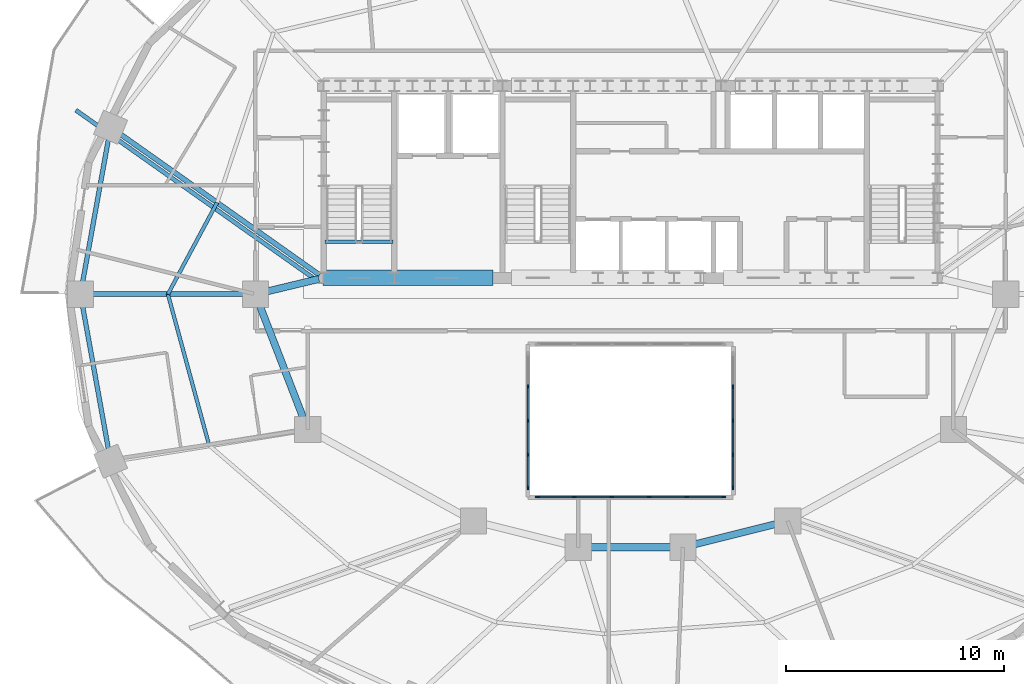
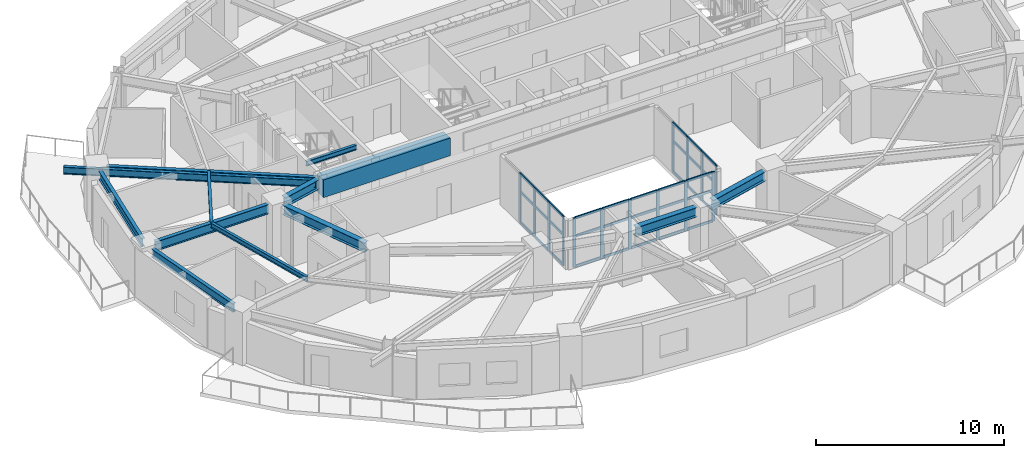
# One storey, part 2 of 12: 47 members, 13 beams, 3 elements without a shape of their own.
"""IFC4 building model written with IfcOpenShell, lengths in metres."""

from ifc_helpers import new_model, si_unit, direction, frame, origin, origin_2d, place, context, subcontext, project, spatial, rectangle, i_section, extrude, material, material_profile, profile_set, type_object, element, aggregate, save


model = new_model("IFC4")

# Units and contexts
model_context = context("Model", 3, precision=1e-05, world=origin(), true_north=direction((0.0, 1.0)))
body_context = subcontext(model_context, "Body", "Model", "MODEL_VIEW")
ifc_project = project(units=[si_unit("LENGTHUNIT", "METRE"), si_unit("AREAUNIT", "SQUARE_METRE"), si_unit("VOLUMEUNIT", "CUBIC_METRE"), si_unit("PLANEANGLEUNIT", "RADIAN"), si_unit("MASSUNIT", "GRAM", prefix="KILO")], contexts=[model_context])

# Site, building, storey
site_placement = place(None, origin())
site = spatial("IfcSite", under=ifc_project, at=site_placement, CompositionType="ELEMENT")
building_placement = place(site_placement, origin())
building = spatial("IfcBuilding", under=site, at=building_placement, Name="Haldorwick Loom Tower", CompositionType="ELEMENT")
storey_placement = place(building_placement, frame((0.0, 0.0, 157.89990234375)))
storey = spatial("IfcBuildingStorey", under=building, at=storey_placement, Name="L42", CompositionType="ELEMENT", Elevation=157.89990234375)

# Curtain wall, members
ifc_material_1 = material(Name="Thermally Broken Anodized Aluminium Curtain Wall Framing", Category="aluminium")
curtain_wall_type = type_object("IfcCurtainWallType", Name="ARC-CW-03", PredefinedType="NOTDEFINED", material=ifc_material_1)
curtain_wall_1_placement = place(storey_placement, origin())
curtain_wall_1 = element("IfcCurtainWall", 1, at=curtain_wall_1_placement, inside=storey, type_object=curtain_wall_type, Name="L42 Atrium Glazed Screen S", PredefinedType="NOTDEFINED")
ifc_material_profile_1 = material_profile(ifc_material_1, rectangle(XDim=0.06591796875, YDim=0.18505859375, at=origin_2d()), Name="ALU_MUL_66X185", Category="aluminium")
ifc_profile_set_1 = profile_set([ifc_material_profile_1], Name="Thermally Broken Anodized Aluminium Curtain Wall Framing")
member_type_1 = type_object("IfcMemberType", Name="ARC-CWM-03", PredefinedType="MULLION", material=ifc_profile_set_1)
member_1_placement = place(storey_placement, frame((40.26708984375, 16.699951171875, 0.0), z_axis=(0.0, 0.0, 1.0), x_axis=(0.0, -1.0, 0.0)))
member_1 = element("IfcMember", 2, at=member_1_placement, type_object=member_type_1, Name="CW-03 mullion 1", PredefinedType="MULLION", context=body_context, shape_type="SweptSolid", body=[
    extrude(rectangle(XDim=0.06591796875, YDim=0.18505859375, at=origin_2d()), origin(), (0.0, 0.0, 1.0), 3.210205078125),
])
member_2_placement = place(storey_placement, frame((38.580078125, 16.699951171875, 0.0), z_axis=(0.0, 0.0, 1.0), x_axis=(0.0, -1.0, 0.0)))
member_2 = element("IfcMember", 3, at=member_2_placement, type_object=member_type_1, Name="CW-03 mullion 2", PredefinedType="MULLION", context=body_context, shape_type="SweptSolid", body=[
    extrude(rectangle(XDim=0.06591796875, YDim=0.18505859375, at=origin_2d()), origin(), (0.0, 0.0, 1.0), 3.210205078125),
])
member_3_placement = place(storey_placement, frame((36.860107421875, 16.699951171875, 0.0), z_axis=(0.0, 0.0, 1.0), x_axis=(0.0, -1.0, 0.0)))
member_3 = element("IfcMember", 4, at=member_3_placement, type_object=member_type_1, Name="CW-03 mullion 3", PredefinedType="MULLION", context=body_context, shape_type="SweptSolid", body=[
    extrude(rectangle(XDim=0.06591796875, YDim=0.18505859375, at=origin_2d()), origin(), (0.0, 0.0, 1.0), 3.210205078125),
])
member_4_placement = place(storey_placement, frame((35.139892578125, 16.699951171875, 0.0), z_axis=(0.0, 0.0, 1.0), x_axis=(0.0, -1.0, 0.0)))
member_4 = element("IfcMember", 5, at=member_4_placement, type_object=member_type_1, Name="CW-03 mullion 4", PredefinedType="MULLION", context=body_context, shape_type="SweptSolid", body=[
    extrude(rectangle(XDim=0.06591796875, YDim=0.18505859375, at=origin_2d()), origin(), (0.0, 0.0, 1.0), 3.210205078125),
])
member_5_placement = place(storey_placement, frame((33.419921875, 16.699951171875, 0.0), z_axis=(0.0, 0.0, 1.0), x_axis=(0.0, -1.0, 0.0)))
member_5 = element("IfcMember", 6, at=member_5_placement, type_object=member_type_1, Name="CW-03 mullion 5", PredefinedType="MULLION", context=body_context, shape_type="SweptSolid", body=[
    extrude(rectangle(XDim=0.06591796875, YDim=0.18505859375, at=origin_2d()), origin(), (0.0, 0.0, 1.0), 3.210205078125),
])
member_6_placement = place(storey_placement, frame((31.73291015625, 16.699951171875, 0.0), z_axis=(0.0, 0.0, 1.0), x_axis=(0.0, -1.0, 0.0)))
member_6 = element("IfcMember", 7, at=member_6_placement, type_object=member_type_1, Name="CW-03 mullion 6", PredefinedType="MULLION", context=body_context, shape_type="SweptSolid", body=[
    extrude(rectangle(XDim=0.06591796875, YDim=0.18505859375, at=origin_2d()), origin(), (0.0, 0.0, 1.0), 3.210205078125),
])

curtain_wall_2_placement = place(storey_placement, origin())
curtain_wall_2 = element("IfcCurtainWall", 8, at=curtain_wall_2_placement, inside=storey, type_object=curtain_wall_type, Name="L42 Atrium Glazed Screen W", PredefinedType="NOTDEFINED")
member_7_placement = place(storey_placement, frame((31.300048828125, 17.133056640625, 0.0), z_axis=(0.0, 0.0, 1.0), x_axis=(-1.0, 0.0, 0.0)))
member_7 = element("IfcMember", 9, at=member_7_placement, type_object=member_type_1, Name="CW-03 mullion 1", PredefinedType="MULLION", context=body_context, shape_type="SweptSolid", body=[
    extrude(rectangle(XDim=0.06591796875, YDim=0.18505859375, at=origin_2d()), origin(), (0.0, 0.0, 1.0), 3.210205078125),
])
member_8_placement = place(storey_placement, frame((31.300048828125, 18.64990234375, 0.0), z_axis=(0.0, 0.0, 1.0), x_axis=(-1.0, 0.0, 0.0)))
member_8 = element("IfcMember", 10, at=member_8_placement, type_object=member_type_1, Name="CW-03 mullion 2", PredefinedType="MULLION", context=body_context, shape_type="SweptSolid", body=[
    extrude(rectangle(XDim=0.06591796875, YDim=0.18505859375, at=origin_2d()), origin(), (0.0, 0.0, 1.0), 3.210205078125),
])
member_9_placement = place(storey_placement, frame((31.300048828125, 20.199951171875, 0.0), z_axis=(0.0, 0.0, 1.0), x_axis=(-1.0, 0.0, 0.0)))
member_9 = element("IfcMember", 11, at=member_9_placement, type_object=member_type_1, Name="CW-03 mullion 3", PredefinedType="MULLION", context=body_context, shape_type="SweptSolid", body=[
    extrude(rectangle(XDim=0.06591796875, YDim=0.18505859375, at=origin_2d()), origin(), (0.0, 0.0, 1.0), 3.210205078125),
])
member_10_placement = place(storey_placement, frame((31.300048828125, 21.75, 0.0), z_axis=(0.0, 0.0, 1.0), x_axis=(-1.0, 0.0, 0.0)))
member_10 = element("IfcMember", 12, at=member_10_placement, type_object=member_type_1, Name="CW-03 mullion 4", PredefinedType="MULLION", context=body_context, shape_type="SweptSolid", body=[
    extrude(rectangle(XDim=0.06591796875, YDim=0.18505859375, at=origin_2d()), origin(), (0.0, 0.0, 1.0), 3.210205078125),
])

curtain_wall_3_placement = place(storey_placement, origin())
curtain_wall_3 = element("IfcCurtainWall", 13, at=curtain_wall_3_placement, inside=storey, type_object=curtain_wall_type, Name="L42 Atrium Glazed Screen E", PredefinedType="NOTDEFINED")
member_11_placement = place(storey_placement, frame((40.699951171875, 21.75, 0.0), z_axis=(0.0, 0.0, 1.0), x_axis=(1.0, 0.0, 0.0)))
member_11 = element("IfcMember", 14, at=member_11_placement, type_object=member_type_1, Name="CW-03 mullion 2", PredefinedType="MULLION", context=body_context, shape_type="SweptSolid", body=[
    extrude(rectangle(XDim=0.06591796875, YDim=0.18505859375, at=origin_2d()), origin(), (0.0, 0.0, 1.0), 3.210205078125),
])
member_12_placement = place(storey_placement, frame((40.699951171875, 20.199951171875, 0.0), z_axis=(0.0, 0.0, 1.0), x_axis=(1.0, 0.0, 0.0)))
member_12 = element("IfcMember", 15, at=member_12_placement, type_object=member_type_1, Name="CW-03 mullion 3", PredefinedType="MULLION", context=body_context, shape_type="SweptSolid", body=[
    extrude(rectangle(XDim=0.06591796875, YDim=0.18505859375, at=origin_2d()), origin(), (0.0, 0.0, 1.0), 3.210205078125),
])
member_13_placement = place(storey_placement, frame((40.699951171875, 18.64990234375, 0.0), z_axis=(0.0, 0.0, 1.0), x_axis=(1.0, 0.0, 0.0)))
member_13 = element("IfcMember", 16, at=member_13_placement, type_object=member_type_1, Name="CW-03 mullion 4", PredefinedType="MULLION", context=body_context, shape_type="SweptSolid", body=[
    extrude(rectangle(XDim=0.06591796875, YDim=0.18505859375, at=origin_2d()), origin(), (0.0, 0.0, 1.0), 3.210205078125),
])
member_14_placement = place(storey_placement, frame((40.699951171875, 17.133056640625, 0.0), z_axis=(0.0, 0.0, 1.0), x_axis=(1.0, 0.0, 0.0)))
member_14 = element("IfcMember", 17, at=member_14_placement, type_object=member_type_1, Name="CW-03 mullion 5", PredefinedType="MULLION", context=body_context, shape_type="SweptSolid", body=[
    extrude(rectangle(XDim=0.06591796875, YDim=0.18505859375, at=origin_2d()), origin(), (0.0, 0.0, 1.0), 3.210205078125),
])

# Member
ifc_material_profile_2 = material_profile(ifc_material_1, rectangle(XDim=0.06591796875, YDim=0.1650390625, at=origin_2d()), Name="ALU_TRN_66X165", Category="aluminium")
ifc_profile_set_2 = profile_set([ifc_material_profile_2], Name="Thermally Broken Anodized Aluminium Curtain Wall Framing")
member_type_2 = type_object("IfcMemberType", Name="ARC-CWT-03", PredefinedType="USERDEFINED", material=ifc_profile_set_2)
member_15_placement = place(storey_placement, frame((40.23388671875, 16.699951171875, 0.033203125), z_axis=(-1.0, 0.0, 0.0), x_axis=(0.0, -1.0, 0.0)))
member_15 = element("IfcMember", 18, at=member_15_placement, type_object=member_type_2, Name="CW-03 transom 1.1", ObjectType="TRANSOM", PredefinedType="USERDEFINED", context=body_context, shape_type="SweptSolid", body=[
    extrude(rectangle(XDim=0.06591796875, YDim=0.1650390625, at=origin_2d()), origin(), (0.0, 0.0, 1.0), 1.620849609375),
])

member_16_placement = place(storey_placement, frame((40.23388671875, 16.699951171875, 2.0), z_axis=(-1.0, 0.0, 0.0), x_axis=(0.0, -1.0, 0.0)))
member_16 = element("IfcMember", 19, at=member_16_placement, type_object=member_type_2, Name="CW-03 transom 1.2", ObjectType="TRANSOM", PredefinedType="USERDEFINED", context=body_context, shape_type="SweptSolid", body=[
    extrude(rectangle(XDim=0.06591796875, YDim=0.1650390625, at=origin_2d()), origin(), (0.0, 0.0, 1.0), 1.620849609375),
])

member_17_placement = place(storey_placement, frame((40.23388671875, 16.699951171875, 3.177001953125), z_axis=(-1.0, 0.0, 0.0), x_axis=(0.0, -1.0, 0.0)))
member_17 = element("IfcMember", 20, at=member_17_placement, type_object=member_type_2, Name="CW-03 transom 1.3", ObjectType="TRANSOM", PredefinedType="USERDEFINED", context=body_context, shape_type="SweptSolid", body=[
    extrude(rectangle(XDim=0.06591796875, YDim=0.1650390625, at=origin_2d()), origin(), (0.0, 0.0, 1.0), 1.620849609375),
])

member_18_placement = place(storey_placement, frame((38.547119140625, 16.699951171875, 0.033203125), z_axis=(-1.0, 0.0, 0.0), x_axis=(0.0, -1.0, 0.0)))
member_18 = element("IfcMember", 21, at=member_18_placement, type_object=member_type_2, Name="CW-03 transom 2.1", ObjectType="TRANSOM", PredefinedType="USERDEFINED", context=body_context, shape_type="SweptSolid", body=[
    extrude(rectangle(XDim=0.06591796875, YDim=0.1650390625, at=origin_2d()), origin(), (0.0, 0.0, 1.0), 1.654052734375),
])

member_19_placement = place(storey_placement, frame((38.547119140625, 16.699951171875, 2.0), z_axis=(-1.0, 0.0, 0.0), x_axis=(0.0, -1.0, 0.0)))
member_19 = element("IfcMember", 22, at=member_19_placement, type_object=member_type_2, Name="CW-03 transom 2.2", ObjectType="TRANSOM", PredefinedType="USERDEFINED", context=body_context, shape_type="SweptSolid", body=[
    extrude(rectangle(XDim=0.06591796875, YDim=0.1650390625, at=origin_2d()), origin(), (0.0, 0.0, 1.0), 1.654052734375),
])

member_20_placement = place(storey_placement, frame((38.547119140625, 16.699951171875, 3.177001953125), z_axis=(-1.0, 0.0, 0.0), x_axis=(0.0, -1.0, 0.0)))
member_20 = element("IfcMember", 23, at=member_20_placement, type_object=member_type_2, Name="CW-03 transom 2.3", ObjectType="TRANSOM", PredefinedType="USERDEFINED", context=body_context, shape_type="SweptSolid", body=[
    extrude(rectangle(XDim=0.06591796875, YDim=0.1650390625, at=origin_2d()), origin(), (0.0, 0.0, 1.0), 1.654052734375),
])

member_21_placement = place(storey_placement, frame((36.826904296875, 16.699951171875, 0.033203125), z_axis=(-1.0, 0.0, 0.0), x_axis=(0.0, -1.0, 0.0)))
member_21 = element("IfcMember", 24, at=member_21_placement, type_object=member_type_2, Name="CW-03 transom 3.1", ObjectType="TRANSOM", PredefinedType="USERDEFINED", context=body_context, shape_type="SweptSolid", body=[
    extrude(rectangle(XDim=0.06591796875, YDim=0.1650390625, at=origin_2d()), origin(), (0.0, 0.0, 1.0), 1.65380859375),
])

member_22_placement = place(storey_placement, frame((36.826904296875, 16.699951171875, 2.0), z_axis=(-1.0, 0.0, 0.0), x_axis=(0.0, -1.0, 0.0)))
member_22 = element("IfcMember", 25, at=member_22_placement, type_object=member_type_2, Name="CW-03 transom 3.2", ObjectType="TRANSOM", PredefinedType="USERDEFINED", context=body_context, shape_type="SweptSolid", body=[
    extrude(rectangle(XDim=0.06591796875, YDim=0.1650390625, at=origin_2d()), origin(), (0.0, 0.0, 1.0), 1.65380859375),
])

member_23_placement = place(storey_placement, frame((36.826904296875, 16.699951171875, 3.177001953125), z_axis=(-1.0, 0.0, 0.0), x_axis=(0.0, -1.0, 0.0)))
member_23 = element("IfcMember", 26, at=member_23_placement, type_object=member_type_2, Name="CW-03 transom 3.3", ObjectType="TRANSOM", PredefinedType="USERDEFINED", context=body_context, shape_type="SweptSolid", body=[
    extrude(rectangle(XDim=0.06591796875, YDim=0.1650390625, at=origin_2d()), origin(), (0.0, 0.0, 1.0), 1.65380859375),
])

member_24_placement = place(storey_placement, frame((35.10693359375, 16.699951171875, 0.033203125), z_axis=(-1.0, 0.0, 0.0), x_axis=(0.0, -1.0, 0.0)))
member_24 = element("IfcMember", 27, at=member_24_placement, type_object=member_type_2, Name="CW-03 transom 4.1", ObjectType="TRANSOM", PredefinedType="USERDEFINED", context=body_context, shape_type="SweptSolid", body=[
    extrude(rectangle(XDim=0.06591796875, YDim=0.1650390625, at=origin_2d()), origin(), (0.0, 0.0, 1.0), 1.654052734375),
])

member_25_placement = place(storey_placement, frame((35.10693359375, 16.699951171875, 2.0), z_axis=(-1.0, 0.0, 0.0), x_axis=(0.0, -1.0, 0.0)))
member_25 = element("IfcMember", 28, at=member_25_placement, type_object=member_type_2, Name="CW-03 transom 4.2", ObjectType="TRANSOM", PredefinedType="USERDEFINED", context=body_context, shape_type="SweptSolid", body=[
    extrude(rectangle(XDim=0.06591796875, YDim=0.1650390625, at=origin_2d()), origin(), (0.0, 0.0, 1.0), 1.654052734375),
])

member_26_placement = place(storey_placement, frame((35.10693359375, 16.699951171875, 3.177001953125), z_axis=(-1.0, 0.0, 0.0), x_axis=(0.0, -1.0, 0.0)))
member_26 = element("IfcMember", 29, at=member_26_placement, type_object=member_type_2, Name="CW-03 transom 4.3", ObjectType="TRANSOM", PredefinedType="USERDEFINED", context=body_context, shape_type="SweptSolid", body=[
    extrude(rectangle(XDim=0.06591796875, YDim=0.1650390625, at=origin_2d()), origin(), (0.0, 0.0, 1.0), 1.654052734375),
])

member_27_placement = place(storey_placement, frame((33.386962890625, 16.699951171875, 0.033203125), z_axis=(-1.0, 0.0, 0.0), x_axis=(0.0, -1.0, 0.0)))
member_27 = element("IfcMember", 30, at=member_27_placement, type_object=member_type_2, Name="CW-03 transom 5.1", ObjectType="TRANSOM", PredefinedType="USERDEFINED", context=body_context, shape_type="SweptSolid", body=[
    extrude(rectangle(XDim=0.06591796875, YDim=0.1650390625, at=origin_2d()), origin(), (0.0, 0.0, 1.0), 1.620849609375),
])

member_28_placement = place(storey_placement, frame((33.386962890625, 16.699951171875, 2.0), z_axis=(-1.0, 0.0, 0.0), x_axis=(0.0, -1.0, 0.0)))
member_28 = element("IfcMember", 31, at=member_28_placement, type_object=member_type_2, Name="CW-03 transom 5.2", ObjectType="TRANSOM", PredefinedType="USERDEFINED", context=body_context, shape_type="SweptSolid", body=[
    extrude(rectangle(XDim=0.06591796875, YDim=0.1650390625, at=origin_2d()), origin(), (0.0, 0.0, 1.0), 1.620849609375),
])

member_29_placement = place(storey_placement, frame((33.386962890625, 16.699951171875, 3.177001953125), z_axis=(-1.0, 0.0, 0.0), x_axis=(0.0, -1.0, 0.0)))
member_29 = element("IfcMember", 32, at=member_29_placement, type_object=member_type_2, Name="CW-03 transom 5.3", ObjectType="TRANSOM", PredefinedType="USERDEFINED", context=body_context, shape_type="SweptSolid", body=[
    extrude(rectangle(XDim=0.06591796875, YDim=0.1650390625, at=origin_2d()), origin(), (0.0, 0.0, 1.0), 1.620849609375),
])

aggregate(curtain_wall_1, [member_1, member_2, member_3, member_4, member_5, member_6, member_15, member_16, member_17, member_18, member_19, member_20, member_21, member_22, member_23, member_24, member_25, member_26, member_27, member_28, member_29])

member_30_placement = place(storey_placement, frame((31.300048828125, 17.166015625, 0.033203125), z_axis=(0.0, 1.0, 0.0), x_axis=(-1.0, 0.0, 0.0)))
member_30 = element("IfcMember", 33, at=member_30_placement, type_object=member_type_2, Name="CW-03 transom 1.1", ObjectType="TRANSOM", PredefinedType="USERDEFINED", context=body_context, shape_type="SweptSolid", body=[
    extrude(rectangle(XDim=0.06591796875, YDim=0.1650390625, at=origin_2d()), origin(), (0.0, 0.0, 1.0), 1.450927734375),
])

member_31_placement = place(storey_placement, frame((31.300048828125, 17.166015625, 2.0), z_axis=(0.0, 1.0, 0.0), x_axis=(-1.0, 0.0, 0.0)))
member_31 = element("IfcMember", 34, at=member_31_placement, type_object=member_type_2, Name="CW-03 transom 1.2", ObjectType="TRANSOM", PredefinedType="USERDEFINED", context=body_context, shape_type="SweptSolid", body=[
    extrude(rectangle(XDim=0.06591796875, YDim=0.1650390625, at=origin_2d()), origin(), (0.0, 0.0, 1.0), 1.450927734375),
])

member_32_placement = place(storey_placement, frame((31.300048828125, 17.166015625, 3.177001953125), z_axis=(0.0, 1.0, 0.0), x_axis=(-1.0, 0.0, 0.0)))
member_32 = element("IfcMember", 35, at=member_32_placement, type_object=member_type_2, Name="CW-03 transom 1.3", ObjectType="TRANSOM", PredefinedType="USERDEFINED", context=body_context, shape_type="SweptSolid", body=[
    extrude(rectangle(XDim=0.06591796875, YDim=0.1650390625, at=origin_2d()), origin(), (0.0, 0.0, 1.0), 1.450927734375),
])

member_33_placement = place(storey_placement, frame((31.300048828125, 18.68310546875, 0.033203125), z_axis=(0.0, 1.0, 0.0), x_axis=(-1.0, 0.0, 0.0)))
member_33 = element("IfcMember", 36, at=member_33_placement, type_object=member_type_2, Name="CW-03 transom 2.1", ObjectType="TRANSOM", PredefinedType="USERDEFINED", context=body_context, shape_type="SweptSolid", body=[
    extrude(rectangle(XDim=0.06591796875, YDim=0.1650390625, at=origin_2d()), origin(), (0.0, 0.0, 1.0), 1.48388671875),
])

member_34_placement = place(storey_placement, frame((31.300048828125, 18.68310546875, 2.0), z_axis=(0.0, 1.0, 0.0), x_axis=(-1.0, 0.0, 0.0)))
member_34 = element("IfcMember", 37, at=member_34_placement, type_object=member_type_2, Name="CW-03 transom 2.2", ObjectType="TRANSOM", PredefinedType="USERDEFINED", context=body_context, shape_type="SweptSolid", body=[
    extrude(rectangle(XDim=0.06591796875, YDim=0.1650390625, at=origin_2d()), origin(), (0.0, 0.0, 1.0), 1.48388671875),
])

member_35_placement = place(storey_placement, frame((31.300048828125, 18.68310546875, 3.177001953125), z_axis=(0.0, 1.0, 0.0), x_axis=(-1.0, 0.0, 0.0)))
member_35 = element("IfcMember", 38, at=member_35_placement, type_object=member_type_2, Name="CW-03 transom 2.3", ObjectType="TRANSOM", PredefinedType="USERDEFINED", context=body_context, shape_type="SweptSolid", body=[
    extrude(rectangle(XDim=0.06591796875, YDim=0.1650390625, at=origin_2d()), origin(), (0.0, 0.0, 1.0), 1.48388671875),
])

member_36_placement = place(storey_placement, frame((31.300048828125, 20.23291015625, 0.033203125), z_axis=(0.0, 1.0, 0.0), x_axis=(-1.0, 0.0, 0.0)))
member_36 = element("IfcMember", 39, at=member_36_placement, type_object=member_type_2, Name="CW-03 transom 3.1", ObjectType="TRANSOM", PredefinedType="USERDEFINED", context=body_context, shape_type="SweptSolid", body=[
    extrude(rectangle(XDim=0.06591796875, YDim=0.1650390625, at=origin_2d()), origin(), (0.0, 0.0, 1.0), 1.484130859375),
])

member_37_placement = place(storey_placement, frame((31.300048828125, 20.23291015625, 2.0), z_axis=(0.0, 1.0, 0.0), x_axis=(-1.0, 0.0, 0.0)))
member_37 = element("IfcMember", 40, at=member_37_placement, type_object=member_type_2, Name="CW-03 transom 3.2", ObjectType="TRANSOM", PredefinedType="USERDEFINED", context=body_context, shape_type="SweptSolid", body=[
    extrude(rectangle(XDim=0.06591796875, YDim=0.1650390625, at=origin_2d()), origin(), (0.0, 0.0, 1.0), 1.484130859375),
])

member_38_placement = place(storey_placement, frame((31.300048828125, 20.23291015625, 3.177001953125), z_axis=(0.0, 1.0, 0.0), x_axis=(-1.0, 0.0, 0.0)))
member_38 = element("IfcMember", 41, at=member_38_placement, type_object=member_type_2, Name="CW-03 transom 3.3", ObjectType="TRANSOM", PredefinedType="USERDEFINED", context=body_context, shape_type="SweptSolid", body=[
    extrude(rectangle(XDim=0.06591796875, YDim=0.1650390625, at=origin_2d()), origin(), (0.0, 0.0, 1.0), 1.484130859375),
])

aggregate(curtain_wall_2, [member_7, member_8, member_9, member_10, member_30, member_31, member_32, member_33, member_34, member_35, member_36, member_37, member_38])

member_39_placement = place(storey_placement, frame((40.699951171875, 21.717041015625, 0.033203125), z_axis=(0.0, -1.0, 0.0), x_axis=(1.0, 0.0, 0.0)))
member_39 = element("IfcMember", 42, at=member_39_placement, type_object=member_type_2, Name="CW-03 transom 2.1", ObjectType="TRANSOM", PredefinedType="USERDEFINED", context=body_context, shape_type="SweptSolid", body=[
    extrude(rectangle(XDim=0.06591796875, YDim=0.1650390625, at=origin_2d()), origin(), (0.0, 0.0, 1.0), 1.484130859375),
])

member_40_placement = place(storey_placement, frame((40.699951171875, 21.717041015625, 2.0), z_axis=(0.0, -1.0, 0.0), x_axis=(1.0, 0.0, 0.0)))
member_40 = element("IfcMember", 43, at=member_40_placement, type_object=member_type_2, Name="CW-03 transom 2.2", ObjectType="TRANSOM", PredefinedType="USERDEFINED", context=body_context, shape_type="SweptSolid", body=[
    extrude(rectangle(XDim=0.06591796875, YDim=0.1650390625, at=origin_2d()), origin(), (0.0, 0.0, 1.0), 1.484130859375),
])

member_41_placement = place(storey_placement, frame((40.699951171875, 21.717041015625, 3.177001953125), z_axis=(0.0, -1.0, 0.0), x_axis=(1.0, 0.0, 0.0)))
member_41 = element("IfcMember", 44, at=member_41_placement, type_object=member_type_2, Name="CW-03 transom 2.3", ObjectType="TRANSOM", PredefinedType="USERDEFINED", context=body_context, shape_type="SweptSolid", body=[
    extrude(rectangle(XDim=0.06591796875, YDim=0.1650390625, at=origin_2d()), origin(), (0.0, 0.0, 1.0), 1.484130859375),
])

member_42_placement = place(storey_placement, frame((40.699951171875, 20.1669921875, 0.033203125), z_axis=(0.0, -1.0, 0.0), x_axis=(1.0, 0.0, 0.0)))
member_42 = element("IfcMember", 45, at=member_42_placement, type_object=member_type_2, Name="CW-03 transom 3.1", ObjectType="TRANSOM", PredefinedType="USERDEFINED", context=body_context, shape_type="SweptSolid", body=[
    extrude(rectangle(XDim=0.06591796875, YDim=0.1650390625, at=origin_2d()), origin(), (0.0, 0.0, 1.0), 1.48388671875),
])

member_43_placement = place(storey_placement, frame((40.699951171875, 20.1669921875, 2.0), z_axis=(0.0, -1.0, 0.0), x_axis=(1.0, 0.0, 0.0)))
member_43 = element("IfcMember", 46, at=member_43_placement, type_object=member_type_2, Name="CW-03 transom 3.2", ObjectType="TRANSOM", PredefinedType="USERDEFINED", context=body_context, shape_type="SweptSolid", body=[
    extrude(rectangle(XDim=0.06591796875, YDim=0.1650390625, at=origin_2d()), origin(), (0.0, 0.0, 1.0), 1.48388671875),
])

member_44_placement = place(storey_placement, frame((40.699951171875, 20.1669921875, 3.177001953125), z_axis=(0.0, -1.0, 0.0), x_axis=(1.0, 0.0, 0.0)))
member_44 = element("IfcMember", 47, at=member_44_placement, type_object=member_type_2, Name="CW-03 transom 3.3", ObjectType="TRANSOM", PredefinedType="USERDEFINED", context=body_context, shape_type="SweptSolid", body=[
    extrude(rectangle(XDim=0.06591796875, YDim=0.1650390625, at=origin_2d()), origin(), (0.0, 0.0, 1.0), 1.48388671875),
])

member_45_placement = place(storey_placement, frame((40.699951171875, 18.616943359375, 0.033203125), z_axis=(0.0, -1.0, 0.0), x_axis=(1.0, 0.0, 0.0)))
member_45 = element("IfcMember", 48, at=member_45_placement, type_object=member_type_2, Name="CW-03 transom 4.1", ObjectType="TRANSOM", PredefinedType="USERDEFINED", context=body_context, shape_type="SweptSolid", body=[
    extrude(rectangle(XDim=0.06591796875, YDim=0.1650390625, at=origin_2d()), origin(), (0.0, 0.0, 1.0), 1.450927734375),
])

member_46_placement = place(storey_placement, frame((40.699951171875, 18.616943359375, 2.0), z_axis=(0.0, -1.0, 0.0), x_axis=(1.0, 0.0, 0.0)))
member_46 = element("IfcMember", 49, at=member_46_placement, type_object=member_type_2, Name="CW-03 transom 4.2", ObjectType="TRANSOM", PredefinedType="USERDEFINED", context=body_context, shape_type="SweptSolid", body=[
    extrude(rectangle(XDim=0.06591796875, YDim=0.1650390625, at=origin_2d()), origin(), (0.0, 0.0, 1.0), 1.450927734375),
])

member_47_placement = place(storey_placement, frame((40.699951171875, 18.616943359375, 3.177001953125), z_axis=(0.0, -1.0, 0.0), x_axis=(1.0, 0.0, 0.0)))
member_47 = element("IfcMember", 50, at=member_47_placement, type_object=member_type_2, Name="CW-03 transom 4.3", ObjectType="TRANSOM", PredefinedType="USERDEFINED", context=body_context, shape_type="SweptSolid", body=[
    extrude(rectangle(XDim=0.06591796875, YDim=0.1650390625, at=origin_2d()), origin(), (0.0, 0.0, 1.0), 1.450927734375),
])

aggregate(curtain_wall_3, [member_11, member_12, member_13, member_14, member_39, member_40, member_41, member_42, member_43, member_44, member_45, member_46, member_47])

# Beams
ifc_material_2 = material(Name="Steel CSA G40.21 350W", Category="steel")
ifc_material_profile_3 = material_profile(ifc_material_2, i_section(OverallWidth=0.193115234375, OverallDepth=0.466064453125, WebThickness=0.011474609375, FlangeThickness=0.01904296875, at=origin_2d()), Name="W460X97", Category="steel")
ifc_profile_set_3 = profile_set([ifc_material_profile_3], Name="Steel CSA G40.21 350W")
beam_type_1 = type_object("IfcBeamType", Name="STR-BM-BAL460", PredefinedType="BEAM", material=ifc_profile_set_3)
beam_1_placement = place(storey_placement, frame((21.584716796875, 26.651123046875, 2.97705078125), z_axis=(-0.816570288691, 0.577246016554, 0.0), x_axis=(-0.577246016554, -0.816570288691, 0.0)))
element("IfcBeam", 51, at=beam_1_placement, inside=storey, type_object=beam_type_1, Name="L42 Continuous Back-Spanned Balcony Beam 3", PredefinedType="BEAM", context=body_context, shape_type="SweptSolid", body=[
    extrude(i_section(OverallWidth=0.193115234375, OverallDepth=0.466064453125, WebThickness=0.011474609375, FlangeThickness=0.01904296875, at=origin_2d()), origin(), (0.0, 0.0, 1.0), 13.485107421875),
])
ifc_material_3 = material(Name="Concrete C60 (60 MPa)", Category="concrete")
ifc_material_profile_4 = material_profile(ifc_material_3, rectangle(XDim=0.699951171875, YDim=1.14990234375, at=origin_2d()), Name="RC700X1150", Category="concrete")
ifc_profile_set_4 = profile_set([ifc_material_profile_4], Name="Concrete C60 (60 MPa)")
beam_type_2 = type_object("IfcBeamType", Name="STR-BM-CB1150", PredefinedType="LINTEL", material=ifc_profile_set_4)
beam_2_placement = place(storey_placement, frame((21.89990234375, 26.75, 2.635009765625), z_axis=(1.0, 0.0, 0.0), x_axis=(0.0, 1.0, 0.0)))
element("IfcBeam", 52, at=beam_2_placement, inside=storey, type_object=beam_type_2, Name="L42 Core Coupling Beam CB-S1", PredefinedType="LINTEL", context=body_context, shape_type="SweptSolid", body=[
    extrude(rectangle(XDim=0.699951171875, YDim=1.14990234375, at=origin_2d()), origin(), (0.0, 0.0, 1.0), 7.800048828125),
])
ifc_material_profile_5 = material_profile(ifc_material_2, i_section(OverallWidth=0.166015625, OverallDepth=0.31298828125, WebThickness=0.006591796875, FlangeThickness=0.01123046875, at=origin_2d()), Name="W310X45", Category="steel")
ifc_profile_set_5 = profile_set([ifc_material_profile_5], Name="Steel CSA G40.21 350W")
beam_type_3 = type_object("IfcBeamType", Name="STR-BM-J310", PredefinedType="JOIST", material=ifc_profile_set_5)
beam_3_placement = place(storey_placement, frame((17.046875, 30.201904296875, 3.0537109375), z_axis=(-0.472930162238, -0.881099915813, 0.0), x_axis=(0.881099915813, -0.472930162238, 0.0)))
element("IfcBeam", 53, at=beam_3_placement, inside=storey, type_object=beam_type_3, Name="L42 Mid-Bay Secondary Joist 8", PredefinedType="JOIST", context=body_context, shape_type="SweptSolid", body=[
    extrude(i_section(OverallWidth=0.166015625, OverallDepth=0.31298828125, WebThickness=0.006591796875, FlangeThickness=0.01123046875, at=origin_2d()), origin(), (0.0, 0.0, 1.0), 4.76904296875),
])
beam_4_placement = place(storey_placement, frame((14.79150390625, 26.0, 3.0537109375), z_axis=(0.263272762578, -0.964721437766, 0.0), x_axis=(0.964721437766, 0.263272762578, 0.0)))
element("IfcBeam", 54, at=beam_4_placement, inside=storey, type_object=beam_type_3, Name="L42 Mid-Bay Secondary Joist 9", PredefinedType="JOIST", context=body_context, shape_type="SweptSolid", body=[
    extrude(i_section(OverallWidth=0.166015625, OverallDepth=0.31298828125, WebThickness=0.006591796875, FlangeThickness=0.01123046875, at=origin_2d()), origin(), (0.0, 0.0, 1.0), 7.180419921875),
])
ifc_material_profile_6 = material_profile(ifc_material_2, i_section(OverallWidth=0.2119140625, OverallDepth=0.5439453125, WebThickness=0.01318359375, FlangeThickness=0.021240234375, at=origin_2d()), Name="W530X123", Category="steel")
ifc_profile_set_6 = profile_set([ifc_material_profile_6], Name="Steel CSA G40.21 350W")
beam_type_4 = type_object("IfcBeamType", Name="STR-BM-SP530", PredefinedType="SPANDREL", material=ifc_profile_set_6)
for number, where, z_axis, x_axis, name in (
    (55, (12.071533203125, 33.14208984375, 2.93798828125), (-0.177558730702, -0.984110205796, 0.0), (0.984110205796, -0.177558730702, 0.0), "L42 Perimeter Spandrel 8"),
    (56, (10.875244140625, 25.48828125, 2.93798828125), (0.177558730702, -0.984110205796, 0.0), (0.984110205796, 0.177558730702, 0.0), "L42 Perimeter Spandrel 9"),
):
    element("IfcBeam", number, at=place(storey_placement, frame(where, z_axis=z_axis, x_axis=x_axis)), inside=storey, type_object=beam_type_4, Name=name, PredefinedType="SPANDREL", context=body_context, shape_type="SweptSolid", body=[
        extrude(i_section(OverallWidth=0.2119140625, OverallDepth=0.5439453125, WebThickness=0.01318359375, FlangeThickness=0.021240234375, at=origin_2d()), origin(), (0.0, 0.0, 1.0), 6.737548828125),
    ])
ifc_material_profile_7 = material_profile(ifc_material_2, i_section(OverallWidth=0.166015625, OverallDepth=0.31298828125, WebThickness=0.006591796875, FlangeThickness=0.01123046875, at=origin_2d()), Name="W310X45", Category="steel")
ifc_profile_set_7 = profile_set([ifc_material_profile_7], Name="Steel CSA G40.21 350W")
beam_type_5 = type_object("IfcBeamType", Name="STR-BM-STRM", PredefinedType="BEAM", material=ifc_profile_set_7)
beam_5_placement = place(storey_placement, frame((21.989990234375, 28.39990234375, 3.0537109375), z_axis=(1.0, 0.0, 0.0), x_axis=(0.0, 1.0, 0.0)))
element("IfcBeam", 57, at=beam_5_placement, inside=storey, type_object=beam_type_5, Name="L42 Stair ST-01 Landing Edge Trimmer", PredefinedType="BEAM", context=body_context, shape_type="SweptSolid", body=[
    extrude(i_section(OverallWidth=0.166015625, OverallDepth=0.31298828125, WebThickness=0.006591796875, FlangeThickness=0.01123046875, at=origin_2d()), origin(), (0.0, 0.0, 1.0), 3.1201171875),
])
ifc_material_profile_8 = material_profile(ifc_material_2, i_section(OverallWidth=0.324951171875, OverallDepth=0.615966796875, WebThickness=0.013916015625, FlangeThickness=0.021484375, at=origin_2d()), Name="W610X174", Category="steel")
ifc_profile_set_8 = profile_set([ifc_material_profile_8], Name="Steel CSA G40.21 350W")
beam_type_6 = type_object("IfcBeamType", Name="STR-BM-W610A", PredefinedType="BEAM", material=ifc_profile_set_8)
beam_6_placement = place(storey_placement, frame((42.695556640625, 15.473876953125, 2.902099609375), z_axis=(-0.970142500145, -0.242535625036, 0.0), x_axis=(0.242535625036, -0.970142500145, 0.0)))
element("IfcBeam", 58, at=beam_6_placement, inside=storey, type_object=beam_type_6, Name="L42 Inner Ring Girder 4", PredefinedType="BEAM", context=body_context, shape_type="SweptSolid", body=[
    extrude(i_section(OverallWidth=0.324951171875, OverallDepth=0.615966796875, WebThickness=0.013916015625, FlangeThickness=0.021484375, at=origin_2d()), origin(), (0.0, 0.0, 1.0), 3.90771484375),
])
beam_7_placement = place(storey_placement, frame((37.8798828125, 14.39990234375, 2.902099609375), z_axis=(-1.0, 0.0, 0.0), x_axis=(0.0, -1.0, 0.0)))
element("IfcBeam", 59, at=beam_7_placement, inside=storey, type_object=beam_type_6, Name="L42 Inner Ring Girder 5", PredefinedType="BEAM", context=body_context, shape_type="SweptSolid", body=[
    extrude(i_section(OverallWidth=0.324951171875, OverallDepth=0.615966796875, WebThickness=0.013916015625, FlangeThickness=0.021484375, at=origin_2d()), origin(), (0.0, 0.0, 1.0), 3.759765625),
])
beam_8_placement = place(storey_placement, frame((21.01220703125, 20.284912109375, 2.902099609375), z_axis=(-0.360964792353, 0.93257944363, 0.0), x_axis=(-0.93257944363, -0.360964792353, 0.0)))
element("IfcBeam", 60, at=beam_8_placement, inside=storey, type_object=beam_type_6, Name="L42 Inner Ring Girder 8", PredefinedType="BEAM", context=body_context, shape_type="SweptSolid", body=[
    extrude(i_section(OverallWidth=0.324951171875, OverallDepth=0.615966796875, WebThickness=0.013916015625, FlangeThickness=0.021484375, at=origin_2d()), origin(), (0.0, 0.0, 1.0), 5.6083984375),
])
beam_9_placement = place(storey_placement, frame((19.3056640625, 26.12109375, 2.902099609375), z_axis=(0.97247055837, 0.233025777764, 0.0), x_axis=(-0.233025777764, 0.97247055837, 0.0)))
element("IfcBeam", 61, at=beam_9_placement, inside=storey, type_object=beam_type_6, Name="L42 Inner Ring Girder 9", PredefinedType="BEAM", context=body_context, shape_type="SweptSolid", body=[
    extrude(i_section(OverallWidth=0.324951171875, OverallDepth=0.615966796875, WebThickness=0.013916015625, FlangeThickness=0.021484375, at=origin_2d()), origin(), (0.0, 0.0, 1.0), 2.4736328125),
])
ifc_material_profile_9 = material_profile(ifc_material_2, i_section(OverallWidth=0.22998046875, OverallDepth=0.616943359375, WebThickness=0.01318359375, FlangeThickness=0.022216796875, at=origin_2d()), Name="W610X140", Category="steel")
ifc_profile_set_9 = profile_set([ifc_material_profile_9], Name="Steel CSA G40.21 350W")
beam_type_7 = type_object("IfcBeamType", Name="STR-BM-W610B", PredefinedType="BEAM", material=ifc_profile_set_9)
beam_10_placement = place(storey_placement, frame((21.746337890625, 26.8798828125, 2.901611328125), z_axis=(-0.816581567299, 0.577230061542, 0.0), x_axis=(-0.577230061542, -0.816581567299, 0.0)))
element("IfcBeam", 62, at=beam_10_placement, inside=storey, type_object=beam_type_7, Name="L42 Radial Floor Girder 8", PredefinedType="BEAM", context=body_context, shape_type="SweptSolid", body=[
    extrude(i_section(OverallWidth=0.22998046875, OverallDepth=0.616943359375, WebThickness=0.01318359375, FlangeThickness=0.022216796875, at=origin_2d()), origin(), (0.0, 0.0, 1.0), 11.215087890625),
])
beam_11_placement = place(storey_placement, frame((18.280029296875, 26.0, 2.901611328125), z_axis=(-1.0, 0.0, 0.0), x_axis=(0.0, -1.0, 0.0)))
element("IfcBeam", 63, at=beam_11_placement, inside=storey, type_object=beam_type_7, Name="L42 Radial Floor Girder 9", PredefinedType="BEAM", context=body_context, shape_type="SweptSolid", body=[
    extrude(i_section(OverallWidth=0.22998046875, OverallDepth=0.616943359375, WebThickness=0.01318359375, FlangeThickness=0.022216796875, at=origin_2d()), origin(), (0.0, 0.0, 1.0), 6.97705078125),
])

save(model, "model.ifc")
